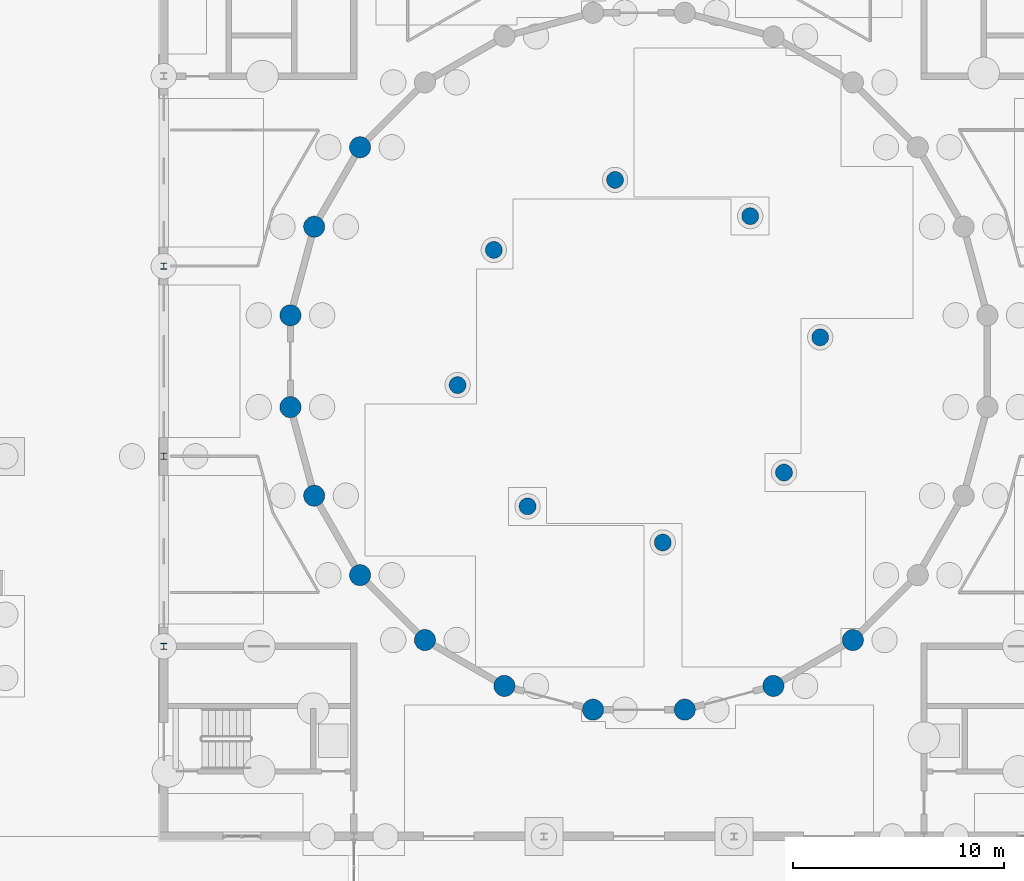
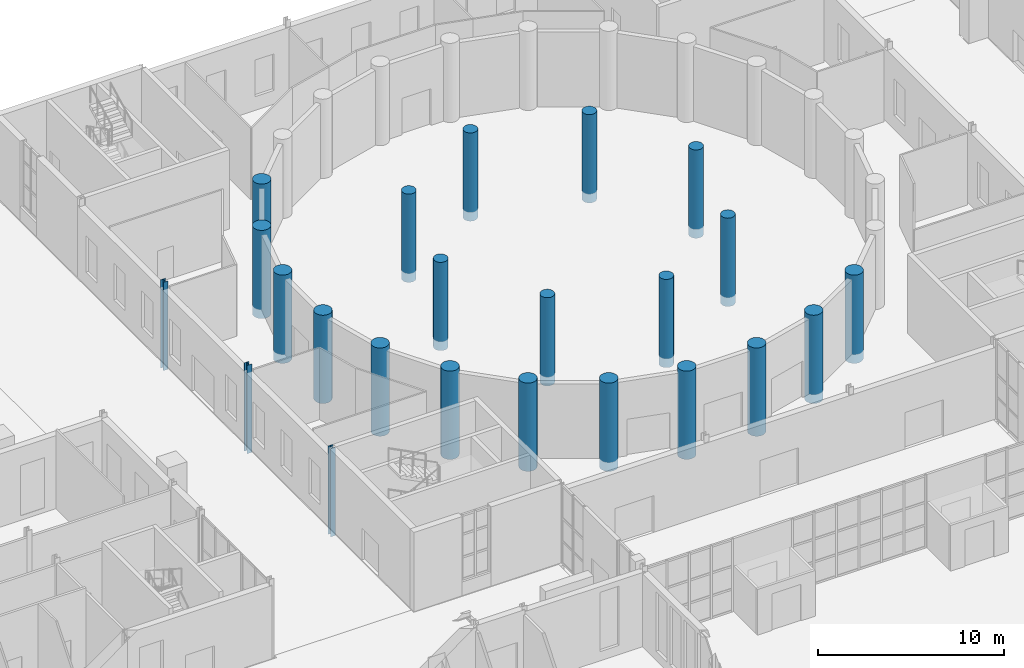
# One storey, part 25 of 168: 23 columns.
"""IFC4 building model written with IfcOpenShell, lengths in metres."""

import ifcopenshell
import ifcopenshell.guid

model = None  # the IFC model being written
_history = None  # IfcOwnerHistory: only IFC2X3 demands one
_inside = {}  # id of a spatial element -> (the spatial element, [elements in it])
_under = {}  # id of a project, library or spatial element -> (it, [spatial elements below it])
_declared = {}  # id of a project -> (the project, [libraries it declares])
_typed = {}  # id of a type object -> (the type object, [elements of that type])
_made_of = {}  # id of a material, layer set ... -> (it, [elements and type objects made of it])


def new_model(schema):
    """Start an empty IFC model of exactly this schema.

    Asked for "IFC4X3", IfcOpenShell would pick the latest addendum, in which some entities
    have other attributes; the version numbers below select the first issue.
    IFC2X3 requires an IfcOwnerHistory on every rooted entity: one is made here for all.
    """
    global model, _history
    if schema == "IFC4X3":
        model = ifcopenshell.file(schema_version=(4, 3, 0, 0))
    else:
        model = ifcopenshell.file(schema=schema)
    _inside.clear()
    _under.clear()
    _declared.clear()
    _typed.clear()
    _made_of.clear()
    _history = None
    if model.schema == "IFC2X3":
        org = make("IfcOrganization", Name="unknown")
        user = make(
            "IfcPersonAndOrganization",
            ThePerson=make("IfcPerson", FamilyName="unknown"),
            TheOrganization=org,
        )
        app = make(
            "IfcApplication",
            ApplicationDeveloper=org,
            Version="unknown",
            ApplicationFullName="unknown",
            ApplicationIdentifier="unknown",
        )
        _history = make(
            "IfcOwnerHistory",
            OwningUser=user,
            OwningApplication=app,
            ChangeAction="ADDED",
            CreationDate=0,
        )
    return model


def make(cls, **values):
    """One entity of the class cls with the attributes given. An attribute that is None is left unset."""
    return model.create_entity(
        cls, **{name: value for name, value in values.items() if value is not None}
    )


def rooted(cls, **values):
    """An entity with a GlobalId (a new one), such as an element, a storey or a relation."""
    return make(cls, GlobalId=ifcopenshell.guid.new(), OwnerHistory=_history, **values)


def si_unit(unit_type, name, prefix=None):
    """IfcSIUnit, for example si_unit("LENGTHUNIT", "METRE", prefix="MILLI")."""
    return make("IfcSIUnit", UnitType=unit_type, Prefix=prefix, Name=name)


def assignment(units):
    """IfcUnitAssignment: the units of a project."""
    return None if units is None else make("IfcUnitAssignment", Units=units)


def point(xyz):
    """IfcCartesianPoint."""
    return None if xyz is None else make("IfcCartesianPoint", Coordinates=xyz)


def direction(xyz):
    """IfcDirection."""
    return None if xyz is None else make("IfcDirection", DirectionRatios=xyz)


def frame(location, z_axis=None, x_axis=None):
    """IfcAxis2Placement3D, a coordinate frame: its origin and axes. An axis left out is left unset."""
    return make(
        "IfcAxis2Placement3D",
        Location=point(location),
        Axis=direction(z_axis),
        RefDirection=direction(x_axis),
    )


def frame_2d(location, x_axis=None):
    """IfcAxis2Placement2D, a coordinate frame in the plane: its origin and x axis."""
    return make(
        "IfcAxis2Placement2D", Location=point(location), RefDirection=direction(x_axis)
    )


def origin():
    """The frame at (0, 0, 0) with its axes left unset."""
    return frame((0.0, 0.0, 0.0))


def origin_2d():
    """The frame at (0, 0) in the plane with its x axis left unset."""
    return frame_2d((0.0, 0.0))


def place(relative_to, where):
    """IfcLocalPlacement: puts the frame where relative to a parent placement (None: the world)."""
    return make(
        "IfcLocalPlacement", PlacementRelTo=relative_to, RelativePlacement=where
    )


def context(
    kind, dimensions, precision=None, world=None, true_north=None, identifier=None
):
    """IfcGeometricRepresentationContext, for example the 3D "Model" context."""
    return make(
        "IfcGeometricRepresentationContext",
        ContextIdentifier=identifier,
        ContextType=kind,
        CoordinateSpaceDimension=dimensions,
        Precision=precision,
        WorldCoordinateSystem=world,
        TrueNorth=true_north,
    )


def subcontext(parent, identifier, kind, view, scale=None):
    """IfcGeometricRepresentationSubContext, for example "Body" below "Model"."""
    return make(
        "IfcGeometricRepresentationSubContext",
        ContextIdentifier=identifier,
        ContextType=kind,
        ParentContext=parent,
        TargetScale=scale,
        TargetView=view,
    )


def project(units=None, contexts=None):
    """IfcProject with its units and contexts."""
    return rooted(
        "IfcProject",
        Name="project",
        RepresentationContexts=contexts,
        UnitsInContext=assignment(units),
    )


def spatial(cls, under=None, at=None, **own):
    """A site, building, storey or space (cls), placed at a placement, below another one or the project."""
    s = rooted(cls, ObjectPlacement=at, **own)
    if under is not None:
        _under.setdefault(under.id(), (under, []))[1].append(s)
    return s


def profile(cls, at=None, kind="AREA", **sizes):
    """A parametric profile (cls). Its sizes go by their IFC names, for example OverallWidth=200.0."""
    return make(cls, ProfileType=kind, Position=at, **sizes)


def circle(**sizes):
    """IfcCircleProfileDef."""
    return profile("IfcCircleProfileDef", **sizes)


def i_section(**sizes):
    """IfcIShapeProfileDef."""
    return profile("IfcIShapeProfileDef", **sizes)


def extrude(swept, where, along, depth):
    """IfcExtrudedAreaSolid: the profile swept, set in the frame where, extruded along a direction by depth."""
    return make(
        "IfcExtrudedAreaSolid",
        SweptArea=swept,
        Position=where,
        ExtrudedDirection=direction(along),
        Depth=depth,
    )


def shape(context_of_items, identifier, shape_type, items):
    """IfcShapeRepresentation: the items that make up one representation, for example the "Body"."""
    return make(
        "IfcShapeRepresentation",
        ContextOfItems=context_of_items,
        RepresentationIdentifier=identifier,
        RepresentationType=shape_type,
        Items=items,
    )


def material(Name=None, Category=None):
    """IfcMaterial."""
    return make("IfcMaterial", Name=Name, Category=Category)


def material_profile(
    of_material, cross_section, Name=None, Category=None, Priority=None
):
    """IfcMaterialProfile: a cross section and its material."""
    return make(
        "IfcMaterialProfile",
        Name=Name,
        Material=of_material,
        Profile=cross_section,
        Priority=Priority,
        Category=Category,
    )


def profile_set(profiles, Name=None, composite=None):
    """IfcMaterialProfileSet."""
    return make(
        "IfcMaterialProfileSet",
        Name=Name,
        MaterialProfiles=profiles,
        CompositeProfile=composite,
    )


def made_of(thing, what):
    """Note that an element or type object is made of a material, layer set ...; save() writes the relation."""
    if what is not None:
        _made_of.setdefault(what.id(), (what, []))[1].append(thing)
    return thing


def type_object(cls, material=None, **own):
    """A type object (cls), such as IfcWallType, which elements share."""
    return made_of(rooted(cls, **own), material)


def element(
    cls,
    number,
    at=None,
    inside=None,
    cuts=None,
    type_object=None,
    material=None,
    context=None,
    identifier="Body",
    shape_type=None,
    held_by="IfcProductDefinitionShape",
    body=None,
    shapes=None,
    **own,
):
    """One element of the class cls, such as IfcWall. Its Tag is "e" and its number.

    at: its placement. inside: the storey or other place that contains it. cuts: it is an
    opening in that element (IfcRelVoidsElement). A single representation is given by context,
    identifier, shape_type and body (its items); several are given by shapes. held_by: the class
    of the entity that holds the representations. save() writes the other relations.
    """
    e = rooted(cls, Tag="e%d" % number, ObjectPlacement=at, **own)
    if body is not None:
        shapes = [shape(context, identifier, shape_type, body)]
    if shapes is not None:
        e.Representation = make(held_by, Representations=shapes)
    if inside is not None:
        _inside.setdefault(inside.id(), (inside, []))[1].append(e)
    if cuts is not None:
        rooted(
            "IfcRelVoidsElement", RelatingBuildingElement=cuts, RelatedOpeningElement=e
        )
    if type_object is not None:
        _typed.setdefault(type_object.id(), (type_object, []))[1].append(e)
    return made_of(e, material)


def aggregate(whole, parts):
    """IfcRelAggregates: a whole, such as a stair, and the parts it consists of."""
    return rooted("IfcRelAggregates", RelatingObject=whole, RelatedObjects=parts)


def save(model, path):
    """Write the relations noted so far, then the file.

    IfcRelAggregates (storeys below a building ...), IfcRelContainedInSpatialStructure (elements
    in a storey), IfcRelDefinesByType, IfcRelAssociatesMaterial and IfcRelDeclares: one each for
    every whole, place, type object, material and project.
    """
    for whole, parts in _under.values():
        aggregate(whole, parts)
    for where, things in _inside.values():
        rooted(
            "IfcRelContainedInSpatialStructure",
            RelatedElements=things,
            RelatingStructure=where,
        )
    for kind, things in _typed.values():
        rooted("IfcRelDefinesByType", RelatedObjects=things, RelatingType=kind)
    for what, things in _made_of.values():
        rooted("IfcRelAssociatesMaterial", RelatedObjects=things, RelatingMaterial=what)
    for by, libraries in _declared.values():
        rooted("IfcRelDeclares", RelatingContext=by, RelatedDefinitions=libraries)
    model.write(path)


model = new_model("IFC4")

# Units and contexts
model_context = context("Model", 3, precision=1e-05, world=origin(), true_north=direction((0.0, 1.0)))
body_context = subcontext(model_context, "Body", "Model", "MODEL_VIEW")
ifc_project = project(units=[si_unit("LENGTHUNIT", "METRE"), si_unit("AREAUNIT", "SQUARE_METRE"), si_unit("VOLUMEUNIT", "CUBIC_METRE"), si_unit("PLANEANGLEUNIT", "RADIAN"), si_unit("MASSUNIT", "GRAM", prefix="KILO")], contexts=[model_context])

# Site, building, storey
site_placement = place(None, origin())
site = spatial("IfcSite", under=ifc_project, at=site_placement, CompositionType="ELEMENT")
building_placement = place(site_placement, origin())
building = spatial("IfcBuilding", under=site, at=building_placement, Name="Golden Quay Civic Hall", CompositionType="ELEMENT")
storey_placement = place(building_placement, origin())
storey = spatial("IfcBuildingStorey", under=building, at=storey_placement, Name="L00", CompositionType="ELEMENT", Elevation=0.0)

# Columns
ifc_material_1 = material(Name="Concrete C50/60", Category="concrete")
ifc_material_profile_1 = material_profile(ifc_material_1, circle(Radius=0.5, at=origin_2d()), Name="RC D1000")
ifc_profile_set_1 = profile_set([ifc_material_profile_1], Name="Concrete C50/60")
column_type_1 = type_object("IfcColumnType", Name="Reinforced concrete column D1000", PredefinedType="COLUMN", material=ifc_profile_set_1)
for number, where, z_axis, x_axis, name in (
    (1, (72.296630859375, 95.63134765625, -0.60009765625), (0.0, 0.0, 1.0), (1.0, 0.0, 0.0), "Rotunda colonnade column 10"),
    (2, (70.12451171875, 91.86865234375, -0.60009765625), (0.0, 0.0, 1.0), (1.0, 0.0, 0.0), "Rotunda colonnade column 11"),
    (3, (69.0, 87.67236328125, -0.60009765625), (0.0, 0.0, 1.0), (1.0, 0.0, 0.0), "Rotunda colonnade column 12"),
    (4, (69.0, 83.32763671875, -0.60009765625), (0.0, 0.0, 1.0), (1.0, 0.0, 0.0), "Rotunda colonnade column 13"),
    (5, (70.12451171875, 79.13134765625, -0.60009765625), (0.0, 0.0, 1.0), (1.0, 0.0, 0.0), "Rotunda colonnade column 14"),
    (6, (72.296630859375, 75.36865234375, -0.60009765625), (0.0, 0.0, 1.0), (1.0, 0.0, 0.0), "Rotunda colonnade column 15"),
    (7, (75.36865234375, 72.296630859375, -0.60009765625), (0.0, 0.0, 1.0), (1.0, 0.0, 0.0), "Rotunda colonnade column 16"),
    (8, (79.13134765625, 70.12451171875, -0.60009765625), (0.0, 0.0, 1.0), (1.0, 0.0, 0.0), "Rotunda colonnade column 17"),
    (9, (83.32763671875, 69.0, -0.60009765625), (0.0, 0.0, 1.0), (1.0, 0.0, 0.0), "Rotunda colonnade column 18"),
    (10, (87.67236328125, 69.0, -0.60009765625), (0.0, 0.0, 1.0), (1.0, 0.0, 0.0), "Rotunda colonnade column 19"),
    (11, (91.86865234375, 70.12451171875, -0.60009765625), (0.0, 0.0, 1.0), (1.0, 0.0, 0.0), "Rotunda colonnade column 20"),
    (12, (95.63134765625, 72.296630859375, -0.60009765625), (0.0, 0.0, 1.0), (1.0, 0.0, 0.0), "Rotunda colonnade column 21"),
):
    element("IfcColumn", number, at=place(storey_placement, frame(where, z_axis=z_axis, x_axis=x_axis)), inside=storey, type_object=column_type_1, Name=name, PredefinedType="COLUMN", context=body_context, shape_type="SweptSolid", body=[
        extrude(circle(Radius=0.5, at=origin_2d()), origin(), (0.0, 0.0, 1.0), 5.800048828125),
    ])
ifc_material_2 = material(Name="Concrete C50/60", Category="concrete")
ifc_material_profile_2 = material_profile(ifc_material_2, circle(Radius=0.39990234375, at=origin_2d()), Name="RC D800")
ifc_profile_set_2 = profile_set([ifc_material_profile_2], Name="Concrete C50/60")
column_type_2 = type_object("IfcColumnType", Name="Reinforced concrete column D800", PredefinedType="COLUMN", material=ifc_profile_set_2)
for number, where, z_axis, x_axis, name in (
    (13, (94.0849609375, 86.630126953125, -0.60009765625), (0.0, 0.0, 1.0), (1.0, 0.0, 0.0), "Rotunda inner column 1"),
    (14, (90.771240234375, 92.369873046875, -0.60009765625), (0.0, 0.0, 1.0), (1.0, 0.0, 0.0), "Rotunda inner column 2"),
    (15, (84.369873046875, 94.0849609375, -0.60009765625), (0.0, 0.0, 1.0), (1.0, 0.0, 0.0), "Rotunda inner column 3"),
    (16, (78.630126953125, 90.771240234375, -0.60009765625), (0.0, 0.0, 1.0), (1.0, 0.0, 0.0), "Rotunda inner column 4"),
    (17, (76.9150390625, 84.369873046875, -0.60009765625), (0.0, 0.0, 1.0), (1.0, 0.0, 0.0), "Rotunda inner column 5"),
    (18, (80.228759765625, 78.630126953125, -0.60009765625), (0.0, 0.0, 1.0), (1.0, 0.0, 0.0), "Rotunda inner column 6"),
    (19, (86.630126953125, 76.9150390625, -0.60009765625), (0.0, 0.0, 1.0), (1.0, 0.0, 0.0), "Rotunda inner column 7"),
    (20, (92.369873046875, 80.228759765625, -0.60009765625), (0.0, 0.0, 1.0), (1.0, 0.0, 0.0), "Rotunda inner column 8"),
):
    element("IfcColumn", number, at=place(storey_placement, frame(where, z_axis=z_axis, x_axis=x_axis)), inside=storey, type_object=column_type_2, Name=name, PredefinedType="COLUMN", context=body_context, shape_type="SweptSolid", body=[
        extrude(circle(Radius=0.39990234375, at=origin_2d()), origin(), (0.0, 0.0, 1.0), 5.800048828125),
    ])
ifc_material_3 = material(Name="Steel S355", Category="steel")
ifc_material_profile_3 = material_profile(ifc_material_3, i_section(OverallWidth=0.300048828125, OverallDepth=0.300048828125, WebThickness=0.010986328125, FlangeThickness=0.01904296875, FilletRadius=0.027099609375, at=origin_2d()), Name="HEB 300")
ifc_profile_set_3 = profile_set([ifc_material_profile_3], Name="Steel S355")
column_type_3 = type_object("IfcColumnType", Name="Steel column HEB 300", PredefinedType="COLUMN", material=ifc_profile_set_3)
for number, where, z_axis, x_axis, name in (
    (21, (63.0, 81.0, -0.60009765625), (0.0, 0.0, 1.0), (1.0, 0.0, 0.0), "Base column 5"),
    (22, (63.0, 90.0, -0.60009765625), (0.0, 0.0, 1.0), (1.0, 0.0, 0.0), "Base column 6"),
    (23, (63.0, 72.0, -0.60009765625), (0.0, 0.0, 1.0), (1.0, 0.0, 0.0), "Base column 13"),
):
    element("IfcColumn", number, at=place(storey_placement, frame(where, z_axis=z_axis, x_axis=x_axis)), inside=storey, type_object=column_type_3, Name=name, PredefinedType="COLUMN", context=body_context, shape_type="SweptSolid", body=[
        extrude(i_section(OverallWidth=0.300048828125, OverallDepth=0.300048828125, WebThickness=0.010986328125, FlangeThickness=0.01904296875, FilletRadius=0.027099609375, at=origin_2d()), origin(), (0.0, 0.0, 1.0), 5.800048828125),
    ])

save(model, "model.ifc")
